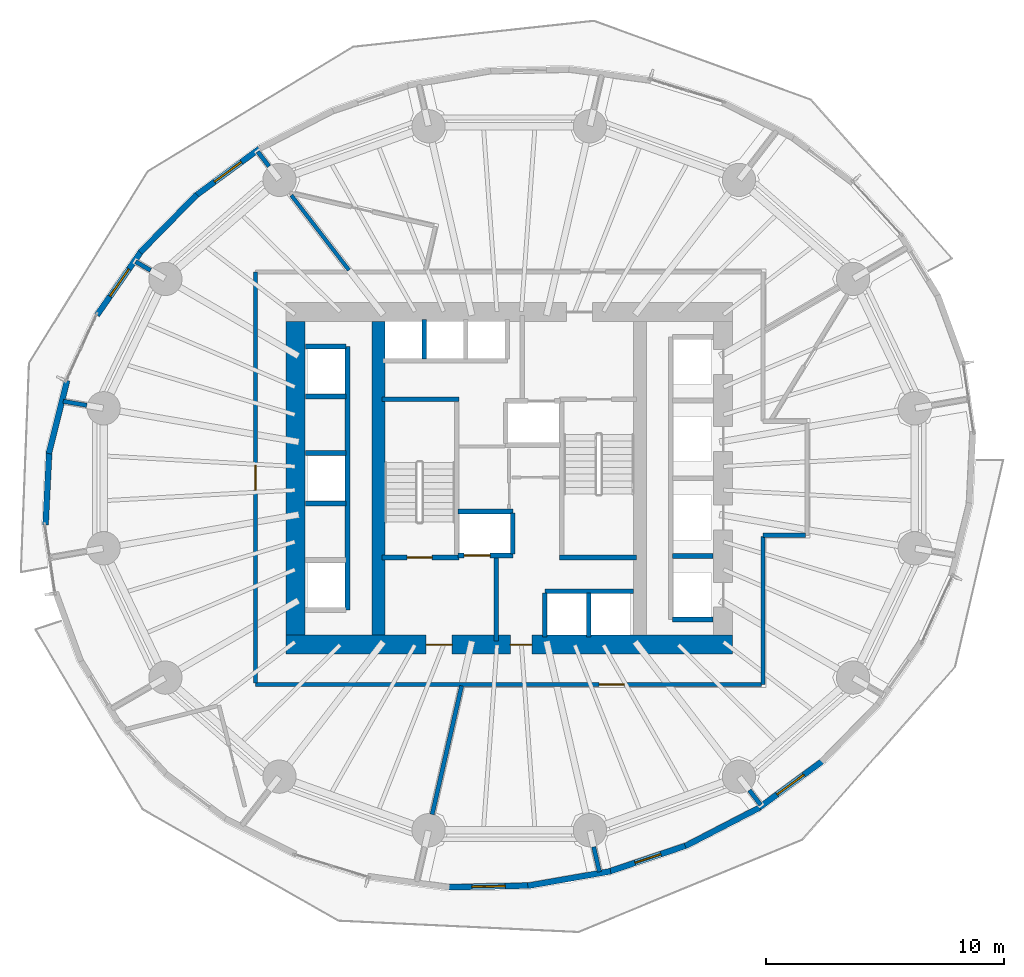
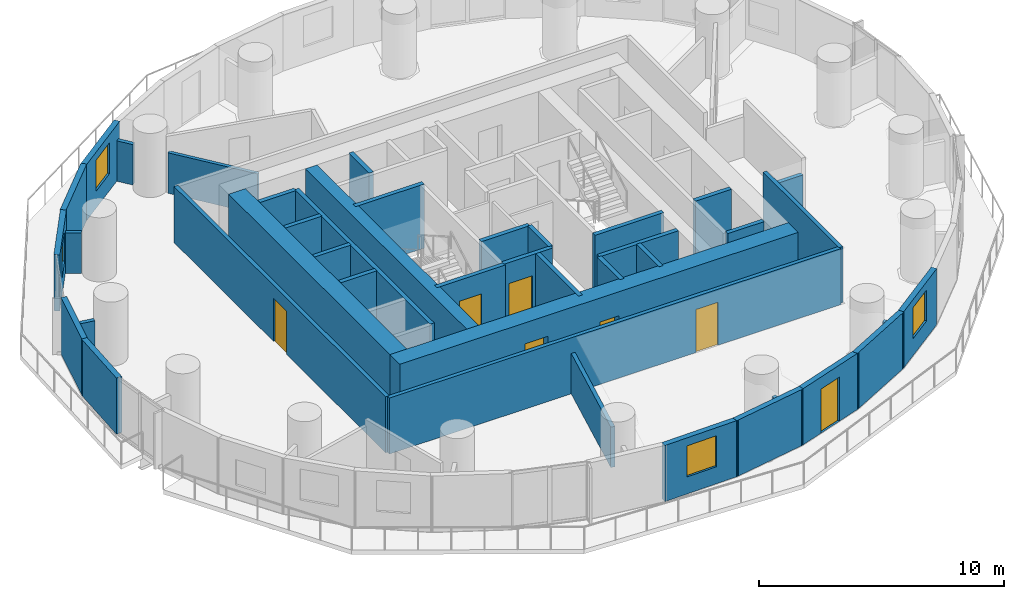
# One storey, part 7 of 13: 42 walls, 7 doors, 4 windows, 11 openings.
"""IFC4 building model written with IfcOpenShell, lengths in metres."""

from ifc_helpers import new_model, si_unit, direction, frame, frame_2d, origin, place, context, subcontext, project, spatial, rectangle, extrude, material, layer, layer_set, type_object, element, fill, save


model = new_model("IFC4")

# Units and contexts
model_context = context("Model", 3, precision=1e-05, world=origin(), true_north=direction((0.0, 1.0)))
body_context = subcontext(model_context, "Body", "Model", "MODEL_VIEW")
ifc_project = project(units=[si_unit("LENGTHUNIT", "METRE"), si_unit("AREAUNIT", "SQUARE_METRE"), si_unit("VOLUMEUNIT", "CUBIC_METRE"), si_unit("PLANEANGLEUNIT", "RADIAN"), si_unit("MASSUNIT", "GRAM", prefix="KILO")], contexts=[model_context])

# Site, building, storey
site_placement = place(None, origin())
site = spatial("IfcSite", under=ifc_project, at=site_placement, CompositionType="ELEMENT")
building_placement = place(site_placement, origin())
building = spatial("IfcBuilding", under=site, at=building_placement, Name="Veldorim Arch Residences", CompositionType="ELEMENT")
storey_placement = place(building_placement, frame((0.0, 0.0, 63.199951171875)))
storey = spatial("IfcBuildingStorey", under=building, at=storey_placement, Name="L18", CompositionType="ELEMENT", Elevation=63.199951171875)

# Walls
ifc_material_1 = material(Name="Lightweight Masonry Block & Gypsum", Category="masonry")
ifc_layer_1 = layer(ifc_material_1, 0.179931640625, Name="Compartment & Corridor Fire-Rated Party Wall 180")
ifc_layer_set_1 = layer_set([ifc_layer_1], Name="Lightweight Masonry Block & Gypsum")
wall_type_1 = type_object("IfcWallType", Name="Compartment & Corridor Fire-Rated Party Wall 180", PredefinedType="PARTITIONING", material=ifc_layer_set_1)
wall_1_placement = place(storey_placement, frame((21.893798828125, 37.125732421875, 0.0), z_axis=(0.0, 0.0, 1.0), x_axis=(-0.610148514831, 0.792287062781, 0.0)))
element("IfcWall", 1, at=wall_1_placement, inside=storey, type_object=wall_type_1, Name="L18 interior wall WL-PIER-L18-06", PredefinedType="PARTITIONING", context=body_context, shape_type="SweptSolid", body=[
    extrude(rectangle(XDim=0.781494140625, YDim=0.179931640625, at=frame_2d((0.390625, 0.0))), origin(), (0.0, 0.0, 1.0), 2.018310546875),
])
wall_2_placement = place(storey_placement, frame((16.909423828125, 32.750244140625, 0.0), z_axis=(0.0, 0.0, 1.0), x_axis=(-0.865051537272, 0.501683005356, 0.0)))
element("IfcWall", 2, at=wall_2_placement, inside=storey, type_object=wall_type_1, Name="L18 interior wall WL-PIER-L18-07", PredefinedType="PARTITIONING", context=body_context, shape_type="SweptSolid", body=[
    extrude(rectangle(XDim=0.72900390625, YDim=0.179931640625, at=frame_2d((0.364501953125, 0.0))), origin(), (0.0, 0.0, 1.0), 2.018310546875),
])
wall_3_placement = place(storey_placement, frame((14.224853515625, 27.068359375, 0.0), z_axis=(0.0, 0.0, 1.0), x_axis=(-0.985427922179, 0.170093533654, 0.0)))
element("IfcWall", 3, at=wall_3_placement, inside=storey, type_object=wall_type_1, Name="L18 interior wall WL-PIER-L18-08", PredefinedType="PARTITIONING", context=body_context, shape_type="SweptSolid", body=[
    extrude(rectangle(XDim=1.007568359375, YDim=0.179931640625, at=frame_2d((0.50390625, 0.0))), origin(), (0.0, 0.0, 1.0), 2.018310546875),
])
wall_4_placement = place(storey_placement, frame((35.555419921875, 8.48828125, 0.0), z_axis=(0.0, 0.0, 1.0), x_axis=(0.2234388258, -0.974717954654, 0.0)))
element("IfcWall", 4, at=wall_4_placement, inside=storey, type_object=wall_type_1, Name="L18 interior wall WL-PIER-L18-13", PredefinedType="PARTITIONING", context=body_context, shape_type="SweptSolid", body=[
    extrude(rectangle(XDim=1.07958984375, YDim=0.179931640625, at=frame_2d((0.539794921875, 0.0))), origin(), (0.0, 0.0, 1.0), 2.018310546875),
])
wall_5_placement = place(storey_placement, frame((42.106201171875, 10.874267578125, 0.0), z_axis=(0.0, 0.0, 1.0), x_axis=(0.610148514831, -0.792287062781, 0.0)))
element("IfcWall", 5, at=wall_5_placement, inside=storey, type_object=wall_type_1, Name="L18 interior wall WL-PIER-L18-14", PredefinedType="PARTITIONING", context=body_context, shape_type="SweptSolid", body=[
    extrude(rectangle(XDim=0.781494140625, YDim=0.179931640625, at=frame_2d((0.390625, 0.0))), origin(), (0.0, 0.0, 1.0), 2.018310546875),
])
wall_6_placement = place(storey_placement, frame((44.469970703125, 21.60009765625, 0.0), z_axis=(0.0, 0.0, 1.0), x_axis=(-1.0, 0.0, 0.0)))
element("IfcWall", 6, at=wall_6_placement, inside=storey, type_object=wall_type_1, Name="L18 interior wall WL-RES-L18-003", PredefinedType="PARTITIONING", context=body_context, shape_type="SweptSolid", body=[
    extrude(rectangle(XDim=1.7900390625, YDim=0.179931640625, at=frame_2d((0.89501953125, 0.0))), origin(), (0.0, 0.0, 1.0), 2.018310546875),
])
wall_7_placement = place(storey_placement, frame((42.679931640625, 21.5400390625, 0.0), z_axis=(0.0, 0.0, 1.0), x_axis=(0.0, -1.0, 0.0)))
element("IfcWall", 7, at=wall_7_placement, inside=storey, type_object=wall_type_1, Name="L18 interior wall WL-RES-L18-004", PredefinedType="PARTITIONING", context=body_context, shape_type="SweptSolid", body=[
    extrude(rectangle(XDim=6.219970703125, YDim=0.179931640625, at=frame_2d((3.10986328125, 0.0))), origin(), (0.0, 0.0, 1.0), 2.795166015625),
])

# Wall, opening, door
wall_8_placement = place(storey_placement, frame((42.6201171875, 15.320068359375, 0.0), z_axis=(0.0, 0.0, 1.0), x_axis=(-1.0, 0.0, 0.0)))
wall_8 = element("IfcWall", 8, at=wall_8_placement, inside=storey, type_object=wall_type_1, Name="L18 interior wall WL-RES-L18-005", PredefinedType="PARTITIONING", context=body_context, shape_type="SweptSolid", body=[
    extrude(rectangle(XDim=21.300048828125, YDim=0.179931640625, at=frame_2d((10.64990234375, 0.0))), origin(), (0.0, 0.0, 1.0), 2.795166015625),
])
opening_1_placement = place(wall_8_placement, frame((5.7900390625, 0.0, 0.0)))
opening_1 = element("IfcOpeningElement", 9, at=opening_1_placement, cuts=wall_8, Name="Opening DR-FLT", PredefinedType="OPENING", context=body_context, shape_type="SweptSolid", body=[
    extrude(rectangle(XDim=1.050048828125, YDim=2.14990234375, at=frame_2d((0.52490234375, 1.074951171875))), frame((0.0, 0.099853515625, 0.0), z_axis=(0.0, -1.0, 0.0), x_axis=(1.0, 0.0, 0.0)), (0.0, 0.0, 1.0), 0.199951171875),
])
ifc_material_2 = material(Name="Fire-Rated Timber", Category="wood")
door_type_1 = type_object("IfcDoorType", Name="Apartment Entrance Solid-Core Fire Door 1050x2150", OperationType="SINGLE_SWING_LEFT", PredefinedType="DOOR", material=ifc_material_2)
door_1_placement = place(opening_1_placement, origin())
door_1 = element("IfcDoor", 10, at=door_1_placement, inside=storey, type_object=door_type_1, Name="L18 interior door DR-RES-L18-001", OperationType="SINGLE_SWING_LEFT", OverallHeight=2.14990234375, OverallWidth=1.050048828125, PredefinedType="DOOR", context=body_context, shape_type="SweptSolid", body=[
    extrude(rectangle(XDim=1.050048828125, YDim=2.14990234375, at=frame_2d((0.52490234375, 1.074951171875))), frame((0.0, 0.02490234375, 0.0), z_axis=(0.0, -1.0, 0.0), x_axis=(1.0, 0.0, 0.0)), (0.0, 0.0, 1.0), 0.050048828125),
])
fill(opening_1, door_1)

wall_9_placement = place(storey_placement, frame((21.320068359375, 15.3798828125, 0.0), z_axis=(0.0, 0.0, 1.0), x_axis=(0.0, 1.0, 0.0)))
wall_9 = element("IfcWall", 11, at=wall_9_placement, inside=storey, type_object=wall_type_1, Name="L18 interior wall WL-RES-L18-008", PredefinedType="PARTITIONING", context=body_context, shape_type="SweptSolid", body=[
    extrude(rectangle(XDim=17.300048828125, YDim=0.179931640625, at=frame_2d((8.64990234375, 0.0))), origin(), (0.0, 0.0, 1.0), 2.795166015625),
])
opening_2_placement = place(wall_9_placement, frame((8.125, 0.0, 0.0)))
opening_2 = element("IfcOpeningElement", 12, at=opening_2_placement, cuts=wall_9, Name="Opening DR-FLT", PredefinedType="OPENING", context=body_context, shape_type="SweptSolid", body=[
    extrude(rectangle(XDim=1.050048828125, YDim=2.14990234375, at=frame_2d((0.52490234375, 1.074951171875))), frame((0.0, 0.099853515625, 0.0), z_axis=(0.0, -1.0, 0.0), x_axis=(1.0, 0.0, 0.0)), (0.0, 0.0, 1.0), 0.199951171875),
])
door_2_placement = place(opening_2_placement, origin())
door_2 = element("IfcDoor", 13, at=door_2_placement, inside=storey, type_object=door_type_1, Name="L18 interior door DR-RES-L18-005", OperationType="SINGLE_SWING_LEFT", OverallHeight=2.14990234375, OverallWidth=1.050048828125, PredefinedType="DOOR", context=body_context, shape_type="SweptSolid", body=[
    extrude(rectangle(XDim=1.050048828125, YDim=2.14990234375, at=frame_2d((0.52490234375, 1.074951171875))), frame((0.0, 0.02490234375, 0.0), z_axis=(0.0, -1.0, 0.0), x_axis=(1.0, 0.0, 0.0)), (0.0, 0.0, 1.0), 0.050048828125),
])
fill(opening_2, door_2)

# Walls
wall_10_placement = place(storey_placement, frame((28.75830078125, 9.856689453125, 0.0), z_axis=(0.0, 0.0, 1.0), x_axis=(0.22340578764, 0.974725527546, 0.0)))
element("IfcWall", 14, at=wall_10_placement, inside=storey, type_object=wall_type_1, Name="L18 interior wall WL-RES-L18-010", PredefinedType="PARTITIONING", context=body_context, shape_type="SweptSolid", body=[
    extrude(rectangle(XDim=5.544921875, YDim=0.179931640625, at=frame_2d((2.7724609375, 0.0))), origin(), (0.0, 0.0, 1.0), 2.018310546875),
])
ifc_material_3 = material(Name="Concrete C50/60", Category="concrete")
ifc_layer_2 = layer(ifc_material_3, 0.199951171875, Name="Core Stair & Lift Shaft Enclosure Wall 200")
ifc_layer_set_2 = layer_set([ifc_layer_2], Name="Concrete C50/60")
wall_type_2 = type_object("IfcWallType", Name="Core Stair & Lift Shaft Enclosure Wall 200", PredefinedType="SHEAR", material=ifc_layer_set_2)
wall_11_placement = place(storey_placement, frame((26.64990234375, 27.330078125, 0.0), z_axis=(0.0, 0.0, 1.0), x_axis=(1.0, 0.0, 0.0)))
element("IfcWall", 15, at=wall_11_placement, inside=storey, type_object=wall_type_2, Name="L18 shaft wall WL-SHF-L18-ST1-N", PredefinedType="SHEAR", context=body_context, shape_type="SweptSolid", body=[
    extrude(rectangle(XDim=3.239990234375, YDim=0.199951171875, at=frame_2d((1.6201171875, 0.0))), origin(), (0.0, 0.0, 1.0), 3.199951171875),
])

# Wall, opening, door
wall_12_placement = place(storey_placement, frame((26.64990234375, 20.669921875, 0.0), z_axis=(0.0, 0.0, 1.0), x_axis=(1.0, 0.0, 0.0)))
wall_12 = element("IfcWall", 16, at=wall_12_placement, inside=storey, type_object=wall_type_2, Name="L18 shaft wall WL-SHF-L18-ST1-S", PredefinedType="SHEAR", context=body_context, shape_type="SweptSolid", body=[
    extrude(rectangle(XDim=3.239990234375, YDim=0.199951171875, at=frame_2d((1.6201171875, 0.0))), origin(), (0.0, 0.0, 1.0), 3.199951171875),
])
opening_3_placement = place(wall_12_placement, frame((1.054931640625, 0.0, 0.0)))
opening_3 = element("IfcOpeningElement", 17, at=opening_3_placement, cuts=wall_12, Name="Opening DR-ST", PredefinedType="OPENING", context=body_context, shape_type="SweptSolid", body=[
    extrude(rectangle(XDim=1.050048828125, YDim=2.14990234375, at=frame_2d((0.52490234375, 1.074951171875))), frame((0.0, 0.10986328125, 0.0), z_axis=(0.0, -1.0, 0.0), x_axis=(1.0, 0.0, 0.0)), (0.0, 0.0, 1.0), 0.219970703125),
])
ifc_material_4 = material(Name="Fire-Rated Steel", Category="steel")
door_type_2 = type_object("IfcDoorType", Name="Exit Staircase Self-Closing Fire Door 1050x2150", OperationType="SINGLE_SWING_LEFT", PredefinedType="DOOR", material=ifc_material_4)
door_3_placement = place(opening_3_placement, origin())
door_3 = element("IfcDoor", 18, at=door_3_placement, inside=storey, type_object=door_type_2, Name="L18 interior door DR-L18-ST1", OperationType="SINGLE_SWING_LEFT", OverallHeight=2.14990234375, OverallWidth=1.050048828125, PredefinedType="DOOR", context=body_context, shape_type="SweptSolid", body=[
    extrude(rectangle(XDim=1.050048828125, YDim=2.14990234375, at=frame_2d((0.52490234375, 1.074951171875))), frame((0.0, 0.02490234375, 0.0), z_axis=(0.0, -1.0, 0.0), x_axis=(1.0, 0.0, 0.0)), (0.0, 0.0, 1.0), 0.050048828125),
])
fill(opening_3, door_3)

# Walls
wall_13_placement = place(storey_placement, frame((34.110107421875, 20.669921875, 0.0), z_axis=(0.0, 0.0, 1.0), x_axis=(1.0, 0.0, 0.0)))
element("IfcWall", 19, at=wall_13_placement, inside=storey, type_object=wall_type_2, Name="L18 shaft wall WL-SHF-L18-ST2-S", PredefinedType="SHEAR", context=body_context, shape_type="SweptSolid", body=[
    extrude(rectangle(XDim=3.239990234375, YDim=0.199951171875, at=frame_2d((1.6201171875, 0.0))), origin(), (0.0, 0.0, 1.0), 3.199951171875),
])
wall_14_placement = place(storey_placement, frame((31.449951171875, 17.14990234375, 0.0), z_axis=(0.0, 0.0, 1.0), x_axis=(0.0, 1.0, 0.0)))
element("IfcWall", 20, at=wall_14_placement, inside=storey, type_object=wall_type_2, Name="L18 shaft wall WL-FFL1-L18-E", PredefinedType="SHEAR", context=body_context, shape_type="SweptSolid", body=[
    extrude(rectangle(XDim=3.5, YDim=0.199951171875, at=frame_2d((1.75, 0.0))), origin(), (0.0, 0.0, 1.0), 3.199951171875),
])

# Wall, opening, door
wall_15_placement = place(storey_placement, frame((29.85009765625, 20.75, 0.0), z_axis=(0.0, 0.0, 1.0), x_axis=(1.0, 0.0, 0.0)))
wall_15 = element("IfcWall", 21, at=wall_15_placement, inside=storey, type_object=wall_type_2, Name="L18 shaft wall WL-FL01-L18-S", PredefinedType="SHEAR", context=body_context, shape_type="SweptSolid", body=[
    extrude(rectangle(XDim=2.2998046875, YDim=0.199951171875, at=frame_2d((1.14990234375, 0.0))), origin(), (0.0, 0.0, 1.0), 3.199951171875),
])
opening_4_placement = place(wall_15_placement, frame((0.25, 0.0, 0.0)))
opening_4 = element("IfcOpeningElement", 22, at=opening_4_placement, cuts=wall_15, Name="Opening LD-FF", PredefinedType="OPENING", context=body_context, shape_type="SweptSolid", body=[
    extrude(rectangle(XDim=1.10009765625, YDim=2.14990234375, at=frame_2d((0.550048828125, 1.074951171875))), frame((0.0, 0.10986328125, 0.0), z_axis=(0.0, -1.0, 0.0), x_axis=(1.0, 0.0, 0.0)), (0.0, 0.0, 1.0), 0.219970703125),
])
ifc_material_5 = material(Name="Stainless Steel", Category="steel")
door_type_3 = type_object("IfcDoorType", Name="Firefighting Lift Bi-Parting Sliding Landing Door 1100x2150", OperationType="DOUBLE_DOOR_SLIDING", PredefinedType="DOOR", material=ifc_material_5)
door_4_placement = place(opening_4_placement, origin())
door_4 = element("IfcDoor", 23, at=door_4_placement, inside=storey, type_object=door_type_3, Name="L18 lift landing door LD-L18-FL01", OperationType="DOUBLE_DOOR_SLIDING", OverallHeight=2.14990234375, OverallWidth=1.10009765625, PredefinedType="DOOR", context=body_context, shape_type="SweptSolid", body=[
    extrude(rectangle(XDim=1.10009765625, YDim=2.14990234375, at=frame_2d((0.550048828125, 1.074951171875))), frame((0.0, 0.02490234375, 0.0), z_axis=(0.0, -1.0, 0.0), x_axis=(1.0, 0.0, 0.0)), (0.0, 0.0, 1.0), 0.050048828125),
])
fill(opening_4, door_4)

# Walls
wall_16_placement = place(storey_placement, frame((29.85009765625, 22.60009765625, 0.0), z_axis=(0.0, 0.0, 1.0), x_axis=(1.0, 0.0, 0.0)))
element("IfcWall", 24, at=wall_16_placement, inside=storey, type_object=wall_type_2, Name="L18 shaft wall WL-FL01-L18-N", PredefinedType="SHEAR", context=body_context, shape_type="SweptSolid", body=[
    extrude(rectangle(XDim=2.2998046875, YDim=0.199951171875, at=frame_2d((1.14990234375, 0.0))), origin(), (0.0, 0.0, 1.0), 3.199951171875),
])
for number, where, z_axis, x_axis, name in (
    (25, (32.14990234375, 20.820068359375, 0.0), (0.0, 0.0, 1.0), (0.0, 1.0, 0.0), "L18 shaft wall WL-FL01-L18-E"),
    (26, (38.8701171875, 18.06005859375, 0.0), (0.0, 0.0, 1.0), (1.0, 0.0, 0.0), "L18 shaft wall WL-B1-L18-S"),
    (27, (38.8701171875, 20.72509765625, 0.0), (0.0, 0.0, 1.0), (1.0, 0.0, 0.0), "L18 shaft wall WL-B1-L18-D1"),
):
    element("IfcWall", number, at=place(storey_placement, frame(where, z_axis=z_axis, x_axis=x_axis)), inside=storey, type_object=wall_type_2, Name=name, PredefinedType="SHEAR", context=body_context, shape_type="SweptSolid", body=[
        extrude(rectangle(XDim=1.7099609375, YDim=0.199951171875, at=frame_2d((0.85498046875, 0.0))), origin(), (0.0, 0.0, 1.0), 3.199951171875),
    ])
wall_17_placement = place(storey_placement, frame((25.199951171875, 18.4599609375, 0.0), z_axis=(0.0, 0.0, 1.0), x_axis=(0.0, 1.0, 0.0)))
element("IfcWall", 28, at=wall_17_placement, inside=storey, type_object=wall_type_2, Name="L18 shaft wall WL-B2-L18-E", PredefinedType="SHEAR", context=body_context, shape_type="SweptSolid", body=[
    extrude(rectangle(XDim=11.080078125, YDim=0.199951171875, at=frame_2d((5.5400390625, 0.0))), origin(), (0.0, 0.0, 1.0), 3.199951171875),
])
for number, where, z_axis, x_axis, name in (
    (29, (23.419921875, 29.5400390625, 0.0), (0.0, 0.0, 1.0), (1.0, 0.0, 0.0), "L18 shaft wall WL-B2-L18-N"),
    (30, (23.419921875, 22.93994140625, 0.0), (0.0, 0.0, 1.0), (1.0, 0.0, 0.0), "L18 shaft wall WL-B2-L18-D1B"),
    (31, (23.419921875, 25.06005859375, 0.0), (0.0, 0.0, 1.0), (1.0, 0.0, 0.0), "L18 shaft wall WL-B2-L18-D2A"),
    (32, (23.419921875, 27.43994140625, 0.0), (0.0, 0.0, 1.0), (1.0, 0.0, 0.0), "L18 shaft wall WL-B2-L18-D2B"),
):
    element("IfcWall", number, at=place(storey_placement, frame(where, z_axis=z_axis, x_axis=x_axis)), inside=storey, type_object=wall_type_2, Name=name, PredefinedType="SHEAR", context=body_context, shape_type="SweptSolid", body=[
        extrude(rectangle(XDim=1.7099609375, YDim=0.199951171875, at=frame_2d((0.85498046875, 0.0))), origin(), (0.0, 0.0, 1.0), 3.199951171875),
    ])
wall_18_placement = place(storey_placement, frame((28.425048828125, 29.02001953125, 0.0), z_axis=(0.0, 0.0, 1.0), x_axis=(0.0, 1.0, 0.0)))
element("IfcWall", 33, at=wall_18_placement, inside=storey, type_object=wall_type_2, Name="L18 shaft wall WL-B3-L18-D1", PredefinedType="SHEAR", context=body_context, shape_type="SweptSolid", body=[
    extrude(rectangle(XDim=1.659912109375, YDim=0.199951171875, at=frame_2d((0.830078125, 0.0))), origin(), (0.0, 0.0, 1.0), 3.199951171875),
])
wall_19_placement = place(storey_placement, frame((33.5, 19.25, 0.0), z_axis=(0.0, 0.0, 1.0), x_axis=(1.0, 0.0, 0.0)))
element("IfcWall", 34, at=wall_19_placement, inside=storey, type_object=wall_type_2, Name="L18 shaft wall WL-OL-L18-N", PredefinedType="SHEAR", context=body_context, shape_type="SweptSolid", body=[
    extrude(rectangle(XDim=3.719970703125, YDim=0.199951171875, at=frame_2d((1.85986328125, 0.0))), origin(), (0.0, 0.0, 1.0), 3.199951171875),
])
for number, where, z_axis, x_axis, name in (
    (35, (33.5, 17.320068359375, 0.0), (0.0, 0.0, 1.0), (0.0, 1.0, 0.0), "L18 shaft wall WL-OL-L18-W"),
    (36, (35.35009765625, 17.320068359375, 0.0), (0.0, 0.0, 1.0), (0.0, 1.0, 0.0), "L18 shaft wall WL-OL-L18-D1"),
):
    element("IfcWall", number, at=place(storey_placement, frame(where, z_axis=z_axis, x_axis=x_axis)), inside=storey, type_object=wall_type_2, Name=name, PredefinedType="SHEAR", context=body_context, shape_type="SweptSolid", body=[
        extrude(rectangle(XDim=1.85986328125, YDim=0.199951171875, at=frame_2d((0.929931640625, 0.0))), origin(), (0.0, 0.0, 1.0), 3.199951171875),
    ])
ifc_material_6 = material(Name="Concrete C60/75", Category="concrete")
ifc_layer_3 = layer(ifc_material_6, 0.56005859375, Name="Internal Core Shear Web Wall 560")
ifc_layer_set_3 = layer_set([ifc_layer_3], Name="Concrete C60/75")
wall_type_3 = type_object("IfcWallType", Name="Internal Core Shear Web Wall 560", PredefinedType="SHEAR", material=ifc_layer_set_3)
wall_20_placement = place(storey_placement, frame((26.5, 17.39990234375, 0.0), z_axis=(0.0, 0.0, 1.0), x_axis=(0.0, 1.0, 0.0)))
element("IfcWall", 37, at=wall_20_placement, inside=storey, type_object=wall_type_3, Name="L18 core west internal shear web", PredefinedType="SHEAR", context=body_context, shape_type="SweptSolid", body=[
    extrude(rectangle(XDim=13.2001953125, YDim=0.56005859375, at=frame_2d((6.60009765625, 0.0))), origin(), (0.0, 0.0, 1.0), 3.199951171875),
])

# Wall, openings, doors
ifc_material_7 = material(Name="Concrete C60/75", Category="concrete")
ifc_layer_4 = layer(ifc_material_7, 0.800048828125, Name="Lower Central Core Shear Wall 800")
ifc_layer_set_4 = layer_set([ifc_layer_4], Name="Concrete C60/75")
wall_type_4 = type_object("IfcWallType", Name="Lower Central Core Shear Wall 800", PredefinedType="SHEAR", material=ifc_layer_set_4)
wall_21_placement = place(storey_placement, frame((22.60009765625, 17.0, 0.0), z_axis=(0.0, 0.0, 1.0), x_axis=(1.0, 0.0, 0.0)))
wall_21 = element("IfcWall", 38, at=wall_21_placement, inside=storey, type_object=wall_type_4, Name="L18 central core south shear wall", PredefinedType="SHEAR", context=body_context, shape_type="SweptSolid", body=[
    extrude(rectangle(XDim=18.7998046875, YDim=0.800048828125, at=frame_2d((9.39990234375, 0.0))), origin(), (0.0, 0.0, 1.0), 3.199951171875),
])
opening_5_placement = place(wall_21_placement, frame((5.89990234375, 0.0, 0.0)))
opening_5 = element("IfcOpeningElement", 39, at=opening_5_placement, cuts=wall_21, Name="Opening DR-FFL", PredefinedType="OPENING", context=body_context, shape_type="SweptSolid", body=[
    extrude(rectangle(XDim=1.10009765625, YDim=2.14990234375, at=frame_2d((0.550048828125, 1.074951171875))), frame((0.0, 0.409912109375, 0.0), z_axis=(0.0, -1.0, 0.0), x_axis=(1.0, 0.0, 0.0)), (0.0, 0.0, 1.0), 0.820068359375),
])
opening_6_placement = place(wall_21_placement, frame((9.449951171875, 0.0, 0.0)))
opening_6 = element("IfcOpeningElement", 40, at=opening_6_placement, cuts=wall_21, Name="Opening DR-SVC2", PredefinedType="OPENING", context=body_context, shape_type="SweptSolid", body=[
    extrude(rectangle(XDim=0.89990234375, YDim=2.0, at=frame_2d((0.449951171875, 1.0))), frame((0.0, 0.409912109375, 0.0), z_axis=(0.0, -1.0, 0.0), x_axis=(1.0, 0.0, 0.0)), (0.0, 0.0, 1.0), 0.820068359375),
])
ifc_material_8 = material(Name="Fire-Rated Steel & Vision Glass", Category="steel")
door_type_4 = type_object("IfcDoorType", Name="Firefighting Lobby Smoke-Stop Fire Door 1100x2150", OperationType="SINGLE_SWING_LEFT", PredefinedType="DOOR", material=ifc_material_8)
door_5_placement = place(opening_5_placement, origin())
door_5 = element("IfcDoor", 41, at=door_5_placement, inside=storey, type_object=door_type_4, Name="L18 interior door DR-L18-FFL1", OperationType="SINGLE_SWING_RIGHT", OverallHeight=2.14990234375, OverallWidth=1.10009765625, PredefinedType="DOOR", context=body_context, shape_type="SweptSolid", body=[
    extrude(rectangle(XDim=1.10009765625, YDim=2.14990234375, at=frame_2d((0.550048828125, 1.074951171875))), frame((0.0, 0.02490234375, 0.0), z_axis=(0.0, -1.0, 0.0), x_axis=(1.0, 0.0, 0.0)), (0.0, 0.0, 1.0), 0.050048828125),
])
fill(opening_5, door_5)
ifc_material_9 = material(Name="Fire-Rated Steel", Category="steel")
door_type_5 = type_object("IfcDoorType", Name="Riser & Plant Low-Soffit Rated Steel Door 900x2000", OperationType="SINGLE_SWING_LEFT", PredefinedType="DOOR", material=ifc_material_9)
door_6_placement = place(opening_6_placement, origin())
door_6 = element("IfcDoor", 42, at=door_6_placement, inside=storey, type_object=door_type_5, Name="L18 interior door DR-L18-COR-ANC", OperationType="SINGLE_SWING_LEFT", OverallHeight=2.0, OverallWidth=0.89990234375, PredefinedType="DOOR", context=body_context, shape_type="SweptSolid", body=[
    extrude(rectangle(XDim=0.89990234375, YDim=2.0, at=frame_2d((0.449951171875, 1.0))), frame((0.0, 0.02490234375, 0.0), z_axis=(0.0, -1.0, 0.0), x_axis=(1.0, 0.0, 0.0)), (0.0, 0.0, 1.0), 0.050048828125),
])
fill(opening_6, door_6)

# Wall
wall_22_placement = place(storey_placement, frame((23.0, 17.39990234375, 0.0), z_axis=(0.0, 0.0, 1.0), x_axis=(0.0, 1.0, 0.0)))
element("IfcWall", 43, at=wall_22_placement, inside=storey, type_object=wall_type_4, Name="L18 central core west shear wall", PredefinedType="SHEAR", context=body_context, shape_type="SweptSolid", body=[
    extrude(rectangle(XDim=13.2001953125, YDim=0.800048828125, at=frame_2d((6.60009765625, 0.0))), origin(), (0.0, 0.0, 1.0), 3.199951171875),
])

# Wall, opening, window
ifc_material_10 = material(Name="Precast concrete C40/50", Category="concrete")
ifc_layer_5 = layer(ifc_material_10, 0.25, Name="Tower Terracotta Spandrel & Pier Wall 250")
ifc_layer_set_5 = layer_set([ifc_layer_5], Name="Precast concrete C40/50")
wall_type_5 = type_object("IfcWallType", Name="Tower Terracotta Spandrel & Pier Wall 250", PredefinedType="SOLIDWALL", material=ifc_layer_set_5)
wall_23_placement = place(storey_placement, frame((18.76953125, 35.865966796875, 0.0), z_axis=(0.0, 0.0, 1.0), x_axis=(0.805570891973, 0.592499399161, 0.0)))
wall_23 = element("IfcWall", 44, at=wall_23_placement, inside=storey, type_object=wall_type_5, Name="L18 terracotta facade wall 12", PredefinedType="SOLIDWALL", context=body_context, shape_type="SweptSolid", body=[
    extrude(rectangle(XDim=3.46484375, YDim=0.25, at=frame_2d((1.732421875, 0.0))), origin(), (0.0, 0.0, 1.0), 2.800048828125),
])
opening_7_placement = place(wall_23_placement, frame((1.031982421875, 0.0, 0.85009765625)))
opening_7 = element("IfcOpeningElement", 45, at=opening_7_placement, cuts=wall_23, Name="Opening WN-02", PredefinedType="OPENING", context=body_context, shape_type="SweptSolid", body=[
    extrude(rectangle(XDim=1.39990234375, YDim=1.550048828125, at=frame_2d((0.699951171875, 0.77490234375))), frame((0.0, 0.135009765625, 0.0), z_axis=(0.0, -1.0, 0.0), x_axis=(1.0, 0.0, 0.0)), (0.0, 0.0, 1.0), 0.27001953125),
])
ifc_material_11 = material(Name="Laminated Low-E Glass", Category="glass")
window_type = type_object("IfcWindowType", Name="Residential Casement Window 1400x1550", PartitioningType="SINGLE_PANEL", PredefinedType="WINDOW", material=ifc_material_11)
window_1_placement = place(opening_7_placement, origin())
window_1 = element("IfcWindow", 46, at=window_1_placement, inside=storey, type_object=window_type, Name="L18 solar-control facade window 12", OverallHeight=1.550048828125, OverallWidth=1.39990234375, PartitioningType="SINGLE_PANEL", PredefinedType="WINDOW", context=body_context, shape_type="SweptSolid", body=[
    extrude(rectangle(XDim=1.39990234375, YDim=1.550048828125, at=frame_2d((0.699951171875, 0.77490234375))), frame((0.0, 0.030029296875, 0.0), z_axis=(0.0, -1.0, 0.0), x_axis=(1.0, 0.0, 0.0)), (0.0, 0.0, 1.0), 0.06005859375),
])
fill(opening_7, window_1)

# Wall
wall_24_placement = place(storey_placement, frame((16.473876953125, 33.510009765625, 0.0), z_axis=(0.0, 0.0, 1.0), x_axis=(0.699814992025, 0.714324139966, 0.0)))
element("IfcWall", 47, at=wall_24_placement, inside=storey, type_object=wall_type_5, Name="L18 terracotta facade wall 13", PredefinedType="SOLIDWALL", context=body_context, shape_type="SweptSolid", body=[
    extrude(rectangle(XDim=3.39892578125, YDim=0.25, at=frame_2d((1.699462890625, 0.0))), origin(), (0.0, 0.0, 1.0), 2.800048828125),
])

# Wall, opening, window
wall_25_placement = place(storey_placement, frame((14.65087890625, 30.864990234375, 0.0), z_axis=(0.0, 0.0, 1.0), x_axis=(0.569901359672, 0.821713113102, 0.0)))
wall_25 = element("IfcWall", 48, at=wall_25_placement, inside=storey, type_object=wall_type_5, Name="L18 terracotta facade wall 14", PredefinedType="SOLIDWALL", context=body_context, shape_type="SweptSolid", body=[
    extrude(rectangle(XDim=3.322509765625, YDim=0.25, at=frame_2d((1.6611328125, 0.0))), origin(), (0.0, 0.0, 1.0), 2.800048828125),
])
opening_8_placement = place(wall_25_placement, frame((0.9609375, 0.0, 0.85009765625)))
opening_8 = element("IfcOpeningElement", 49, at=opening_8_placement, cuts=wall_25, Name="Opening WN-02", PredefinedType="OPENING", context=body_context, shape_type="SweptSolid", body=[
    extrude(rectangle(XDim=1.39990234375, YDim=1.550048828125, at=frame_2d((0.699951171875, 0.77490234375))), frame((0.0, 0.135009765625, 0.0), z_axis=(0.0, -1.0, 0.0), x_axis=(1.0, 0.0, 0.0)), (0.0, 0.0, 1.0), 0.27001953125),
])
window_2_placement = place(opening_8_placement, origin())
window_2 = element("IfcWindow", 50, at=window_2_placement, inside=storey, type_object=window_type, Name="L18 solar-control facade window 14", OverallHeight=1.550048828125, OverallWidth=1.39990234375, PartitioningType="SINGLE_PANEL", PredefinedType="WINDOW", context=body_context, shape_type="SweptSolid", body=[
    extrude(rectangle(XDim=1.39990234375, YDim=1.550048828125, at=frame_2d((0.699951171875, 0.77490234375))), frame((0.0, 0.030029296875, 0.0), z_axis=(0.0, -1.0, 0.0), x_axis=(1.0, 0.0, 0.0)), (0.0, 0.0, 1.0), 0.06005859375),
])
fill(opening_8, window_2)

# Walls
wall_26_placement = place(storey_placement, frame((12.62841796875, 25.037841796875, 0.0), z_axis=(0.0, 0.0, 1.0), x_axis=(0.240996878469, 0.970525890725, 0.0)))
element("IfcWall", 51, at=wall_26_placement, inside=storey, type_object=wall_type_5, Name="L18 terracotta facade wall 16", PredefinedType="SOLIDWALL", context=body_context, shape_type="SweptSolid", body=[
    extrude(rectangle(XDim=3.173828125, YDim=0.25, at=frame_2d((1.5869140625, 0.0))), origin(), (0.0, 0.0, 1.0), 2.800048828125),
])
wall_27_placement = place(storey_placement, frame((12.4892578125, 22.03369140625, 0.0), z_axis=(0.0, 0.0, 1.0), x_axis=(0.049914204831, 0.998753509208, 0.0)))
element("IfcWall", 52, at=wall_27_placement, inside=storey, type_object=wall_type_5, Name="L18 terracotta facade wall 17", PredefinedType="SOLIDWALL", context=body_context, shape_type="SweptSolid", body=[
    extrude(rectangle(XDim=3.12060546875, YDim=0.25, at=frame_2d((1.560302734375, 0.0))), origin(), (0.0, 0.0, 1.0), 2.800048828125),
])

# Wall, opening, window
wall_28_placement = place(storey_placement, frame((32.888427734375, 6.862548828125, 0.0), z_axis=(0.0, 0.0, 1.0), x_axis=(-0.999788360949, -0.020572635025, 0.0)))
wall_28 = element("IfcWall", 53, at=wall_28_placement, inside=storey, type_object=wall_type_5, Name="L18 terracotta facade wall 26", PredefinedType="SOLIDWALL", context=body_context, shape_type="SweptSolid", body=[
    extrude(rectangle(XDim=3.5126953125, YDim=0.25, at=frame_2d((1.75634765625, 0.0))), origin(), (0.0, 0.0, 1.0), 2.800048828125),
])
opening_9_placement = place(wall_28_placement, frame((1.055908203125, 0.0, 0.85009765625)))
opening_9 = element("IfcOpeningElement", 54, at=opening_9_placement, cuts=wall_28, Name="Opening WN-02", PredefinedType="OPENING", context=body_context, shape_type="SweptSolid", body=[
    extrude(rectangle(XDim=1.39990234375, YDim=1.550048828125, at=frame_2d((0.699951171875, 0.77490234375))), frame((0.0, 0.135009765625, 0.0), z_axis=(0.0, -1.0, 0.0), x_axis=(1.0, 0.0, 0.0)), (0.0, 0.0, 1.0), 0.27001953125),
])
window_3_placement = place(opening_9_placement, origin())
window_3 = element("IfcWindow", 55, at=window_3_placement, inside=storey, type_object=window_type, Name="L18 solar-control facade window 26", OverallHeight=1.550048828125, OverallWidth=1.39990234375, PartitioningType="SINGLE_PANEL", PredefinedType="WINDOW", context=body_context, shape_type="SweptSolid", body=[
    extrude(rectangle(XDim=1.39990234375, YDim=1.550048828125, at=frame_2d((0.699951171875, 0.77490234375))), frame((0.0, 0.030029296875, 0.0), z_axis=(0.0, -1.0, 0.0), x_axis=(1.0, 0.0, 0.0)), (0.0, 0.0, 1.0), 0.06005859375),
])
fill(opening_9, window_3)

# Wall
wall_29_placement = place(storey_placement, frame((36.265380859375, 7.46240234375, 0.0), z_axis=(0.0, 0.0, 1.0), x_axis=(-0.98500849055, -0.172505865245, 0.0)))
element("IfcWall", 56, at=wall_29_placement, inside=storey, type_object=wall_type_5, Name="L18 terracotta facade wall 27", PredefinedType="SOLIDWALL", context=body_context, shape_type="SweptSolid", body=[
    extrude(rectangle(XDim=3.5380859375, YDim=0.25, at=frame_2d((1.76904296875, 0.0))), origin(), (0.0, 0.0, 1.0), 2.800048828125),
])

# Wall, opening, door
wall_30_placement = place(storey_placement, frame((39.5126953125, 8.565673828125, 0.0), z_axis=(0.0, 0.0, 1.0), x_axis=(-0.947615298774, -0.319413909417, 0.0)))
wall_30 = element("IfcWall", 57, at=wall_30_placement, inside=storey, type_object=wall_type_5, Name="L18 terracotta facade wall 28", PredefinedType="SOLIDWALL", context=body_context, shape_type="SweptSolid", body=[
    extrude(rectangle(XDim=3.5380859375, YDim=0.25, at=frame_2d((1.76904296875, 0.0))), origin(), (0.0, 0.0, 1.0), 2.800048828125),
])
opening_10_placement = place(wall_30_placement, frame((1.194091796875, 0.0, 0.0)))
opening_10 = element("IfcOpeningElement", 58, at=opening_10_placement, cuts=wall_30, Name="Opening BL-DR", PredefinedType="OPENING", context=body_context, shape_type="SweptSolid", body=[
    extrude(rectangle(XDim=1.14990234375, YDim=2.199951171875, at=frame_2d((0.574951171875, 1.10009765625))), frame((0.0, 0.135009765625, 0.0), z_axis=(0.0, -1.0, 0.0), x_axis=(1.0, 0.0, 0.0)), (0.0, 0.0, 1.0), 0.27001953125),
])
ifc_material_12 = material(Name="Aluminium & Low-E Glass", Category="aluminium")
door_type_6 = type_object("IfcDoorType", Name="Glazed Planted Balcony Door 1150x2200", OperationType="SINGLE_SWING_LEFT", PredefinedType="DOOR", material=ifc_material_12)
door_7_placement = place(opening_10_placement, origin())
door_7 = element("IfcDoor", 59, at=door_7_placement, inside=storey, type_object=door_type_6, Name="L18 glazed outdoor terrace door BALC-2", OperationType="SINGLE_SWING_RIGHT", OverallHeight=2.199951171875, OverallWidth=1.14990234375, PredefinedType="DOOR", context=body_context, shape_type="SweptSolid", body=[
    extrude(rectangle(XDim=1.14990234375, YDim=2.199951171875, at=frame_2d((0.574951171875, 1.10009765625))), frame((0.0, 0.02490234375, 0.0), z_axis=(0.0, -1.0, 0.0), x_axis=(1.0, 0.0, 0.0)), (0.0, 0.0, 1.0), 0.050048828125),
])
fill(opening_10, door_7)

# Wall
wall_31_placement = place(storey_placement, frame((42.531982421875, 10.138916015625, 0.0), z_axis=(0.0, 0.0, 1.0), x_axis=(-0.887956398997, -0.459927639396, 0.0)))
element("IfcWall", 60, at=wall_31_placement, inside=storey, type_object=wall_type_5, Name="L18 terracotta facade wall 29", PredefinedType="SOLIDWALL", context=body_context, shape_type="SweptSolid", body=[
    extrude(rectangle(XDim=3.512939453125, YDim=0.25, at=frame_2d((1.75634765625, 0.0))), origin(), (0.0, 0.0, 1.0), 2.800048828125),
])

# Wall, opening, window
wall_32_placement = place(storey_placement, frame((45.23046875, 12.134033203125, 0.0), z_axis=(0.0, 0.0, 1.0), x_axis=(-0.805570891973, -0.592499399161, 0.0)))
wall_32 = element("IfcWall", 61, at=wall_32_placement, inside=storey, type_object=wall_type_5, Name="L18 terracotta facade wall 30", PredefinedType="SOLIDWALL", context=body_context, shape_type="SweptSolid", body=[
    extrude(rectangle(XDim=3.46484375, YDim=0.25, at=frame_2d((1.732421875, 0.0))), origin(), (0.0, 0.0, 1.0), 2.800048828125),
])
opening_11_placement = place(wall_32_placement, frame((1.031982421875, 0.0, 0.85009765625)))
opening_11 = element("IfcOpeningElement", 62, at=opening_11_placement, cuts=wall_32, Name="Opening WN-02", PredefinedType="OPENING", context=body_context, shape_type="SweptSolid", body=[
    extrude(rectangle(XDim=1.39990234375, YDim=1.550048828125, at=frame_2d((0.699951171875, 0.77490234375))), frame((0.0, 0.135009765625, 0.0), z_axis=(0.0, -1.0, 0.0), x_axis=(1.0, 0.0, 0.0)), (0.0, 0.0, 1.0), 0.27001953125),
])
window_4_placement = place(opening_11_placement, origin())
window_4 = element("IfcWindow", 63, at=window_4_placement, inside=storey, type_object=window_type, Name="L18 solar-control facade window 30", OverallHeight=1.550048828125, OverallWidth=1.39990234375, PartitioningType="SINGLE_PANEL", PredefinedType="WINDOW", context=body_context, shape_type="SweptSolid", body=[
    extrude(rectangle(XDim=1.39990234375, YDim=1.550048828125, at=frame_2d((0.699951171875, 0.77490234375))), frame((0.0, 0.030029296875, 0.0), z_axis=(0.0, -1.0, 0.0), x_axis=(1.0, 0.0, 0.0)), (0.0, 0.0, 1.0), 0.06005859375),
])
fill(opening_11, window_4)

# Wall
ifc_material_13 = material(Name="Moisture-Resistant Gypsum & Stud", Category="gypsum")
ifc_layer_6 = layer(ifc_material_13, 0.159912109375, Name="Wet-Area Moisture-Resistant Plumbing Wall 160")
ifc_layer_set_6 = layer_set([ifc_layer_6], Name="Moisture-Resistant Gypsum & Stud")
wall_type_6 = type_object("IfcWallType", Name="Wet-Area Moisture-Resistant Plumbing Wall 160", PredefinedType="PLUMBINGWALL", material=ifc_layer_set_6)
wall_33_placement = place(storey_placement, frame((25.255859375, 32.75927734375, 0.0), z_axis=(0.0, 0.0, 1.0), x_axis=(-0.610090898762, 0.792331430178, 0.0)))
element("IfcWall", 64, at=wall_33_placement, inside=storey, type_object=wall_type_6, Name="L18 interior wall WL-RES-L18-014", PredefinedType="PLUMBINGWALL", context=body_context, shape_type="SweptSolid", body=[
    extrude(rectangle(XDim=3.97216796875, YDim=0.159912109375, at=frame_2d((1.986083984375, 0.0))), origin(), (0.0, 0.0, 1.0), 2.018310546875),
])

save(model, "model.ifc")
